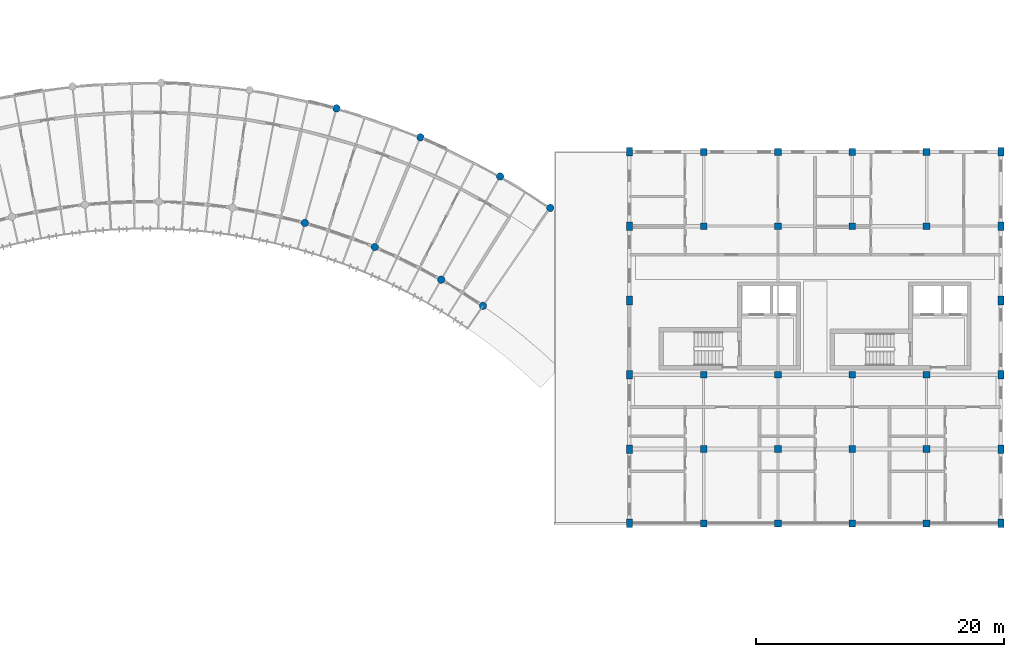
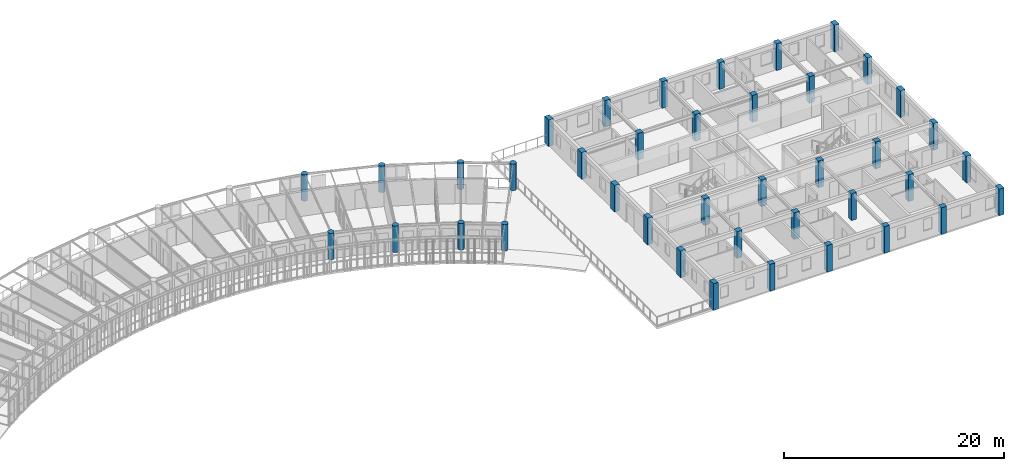
# One storey, part 2 of 101: 40 columns.
"""IFC4 building model written with IfcOpenShell, lengths in metres."""

from ifc_helpers import new_model, si_unit, direction, frame, origin, origin_2d, place, context, subcontext, project, spatial, rectangle, circle, extrude, material, material_profile, profile_set, type_object, element, save


model = new_model("IFC4")

# Units and contexts
model_context = context("Model", 3, precision=1e-05, world=origin(), true_north=direction((0.0, 1.0)))
body_context = subcontext(model_context, "Body", "Model", "MODEL_VIEW")
ifc_project = project(units=[si_unit("LENGTHUNIT", "METRE"), si_unit("AREAUNIT", "SQUARE_METRE"), si_unit("VOLUMEUNIT", "CUBIC_METRE"), si_unit("PLANEANGLEUNIT", "RADIAN"), si_unit("MASSUNIT", "GRAM", prefix="KILO"), si_unit("POWERUNIT", "WATT"), si_unit("THERMODYNAMICTEMPERATUREUNIT", "KELVIN")], contexts=[model_context])

# Site, building, storey
site_placement = place(None, origin())
site = spatial("IfcSite", under=ifc_project, at=site_placement, CompositionType="ELEMENT")
building_placement = place(site_placement, origin())
building = spatial("IfcBuilding", under=site, at=building_placement, Name="Ruvembo Vaulted Housing Court", CompositionType="ELEMENT")
storey_placement = place(building_placement, frame((0.0, 0.0, 17.300048828125)))
storey = spatial("IfcBuildingStorey", under=building, at=storey_placement, Name="L05", CompositionType="ELEMENT", Elevation=17.300048828125)

# Columns
ifc_material = material(Name="Concrete C35/45", Category="concrete")
ifc_material_profile_1 = material_profile(ifc_material, rectangle(XDim=0.5, YDim=0.699951171875, at=origin_2d()), Name="RC 500x700")
ifc_profile_set_1 = profile_set([ifc_material_profile_1], Name="Concrete C35/45")
column_type_1 = type_object("IfcColumnType", Name="COL-RC-500x700", PredefinedType="COLUMN", material=ifc_profile_set_1)
for number, where, z_axis, x_axis, name in (
    (1, (156.0, 72.0, 0.0), (0.0, 0.0, 1.0), (1.0, 0.0, 0.0), "L05 Column (156,72)"),
    (2, (156.0, 78.0, 0.0), (0.0, 0.0, 1.0), (1.0, 0.0, 0.0), "L05 Column (156,78)"),
    (3, (156.0, 84.0, 0.0), (0.0, 0.0, 1.0), (1.0, 0.0, 0.0), "L05 Column (156,84)"),
    (4, (156.0, 90.0, 0.0), (0.0, 0.0, 1.0), (1.0, 0.0, 0.0), "L05 Column (156,90)"),
    (5, (156.0, 96.0, 0.0), (0.0, 0.0, 1.0), (1.0, 0.0, 0.0), "L05 Column (156,96)"),
    (6, (156.0, 102.0, 0.0), (0.0, 0.0, 1.0), (1.0, 0.0, 0.0), "L05 Column (156,102)"),
    (7, (186.0, 72.0, 0.0), (0.0, 0.0, 1.0), (1.0, 0.0, 0.0), "L05 Column (186,72)"),
    (8, (186.0, 78.0, 0.0), (0.0, 0.0, 1.0), (1.0, 0.0, 0.0), "L05 Column (186,78)"),
    (9, (186.0, 84.0, 0.0), (0.0, 0.0, 1.0), (1.0, 0.0, 0.0), "L05 Column (186,84)"),
    (10, (186.0, 90.0, 0.0), (0.0, 0.0, 1.0), (1.0, 0.0, 0.0), "L05 Column (186,90)"),
    (11, (186.0, 96.0, 0.0), (0.0, 0.0, 1.0), (1.0, 0.0, 0.0), "L05 Column (186,96)"),
    (12, (186.0, 102.0, 0.0), (0.0, 0.0, 1.0), (1.0, 0.0, 0.0), "L05 Column (186,102)"),
):
    element("IfcColumn", number, at=place(storey_placement, frame(where, z_axis=z_axis, x_axis=x_axis)), inside=storey, type_object=column_type_1, Name=name, PredefinedType="COLUMN", context=body_context, shape_type="SweptSolid", body=[
        extrude(rectangle(XDim=0.5, YDim=0.699951171875, at=origin_2d()), origin(), (0.0, 0.0, 1.0), 2.96484375),
    ])
ifc_material_profile_2 = material_profile(ifc_material, rectangle(XDim=0.550048828125, YDim=0.550048828125, at=origin_2d()), Name="RC 550x550")
ifc_profile_set_2 = profile_set([ifc_material_profile_2], Name="Concrete C35/45")
column_type_2 = type_object("IfcColumnType", Name="COL-RC-550", PredefinedType="COLUMN", material=ifc_profile_set_2)
for number, where, z_axis, x_axis, name in (
    (13, (162.0, 72.0, 0.0), (0.0, 0.0, 1.0), (1.0, 0.0, 0.0), "L05 Column (162,72)"),
    (14, (162.0, 78.0, 0.0), (0.0, 0.0, 1.0), (1.0, 0.0, 0.0), "L05 Column (162,78)"),
    (15, (162.0, 84.0, 0.0), (0.0, 0.0, 1.0), (1.0, 0.0, 0.0), "L05 Column (162,84)"),
    (16, (162.0, 96.0, 0.0), (0.0, 0.0, 1.0), (1.0, 0.0, 0.0), "L05 Column (162,96)"),
    (17, (162.0, 102.0, 0.0), (0.0, 0.0, 1.0), (1.0, 0.0, 0.0), "L05 Column (162,102)"),
    (18, (168.0, 72.0, 0.0), (0.0, 0.0, 1.0), (1.0, 0.0, 0.0), "L05 Column (168,72)"),
    (19, (168.0, 78.0, 0.0), (0.0, 0.0, 1.0), (1.0, 0.0, 0.0), "L05 Column (168,78)"),
    (20, (168.0, 84.0, 0.0), (0.0, 0.0, 1.0), (1.0, 0.0, 0.0), "L05 Column (168,84)"),
    (21, (168.0, 96.0, 0.0), (0.0, 0.0, 1.0), (1.0, 0.0, 0.0), "L05 Column (168,96)"),
    (22, (168.0, 102.0, 0.0), (0.0, 0.0, 1.0), (1.0, 0.0, 0.0), "L05 Column (168,102)"),
    (23, (174.0, 72.0, 0.0), (0.0, 0.0, 1.0), (1.0, 0.0, 0.0), "L05 Column (174,72)"),
    (24, (174.0, 78.0, 0.0), (0.0, 0.0, 1.0), (1.0, 0.0, 0.0), "L05 Column (174,78)"),
    (25, (174.0, 84.0, 0.0), (0.0, 0.0, 1.0), (1.0, 0.0, 0.0), "L05 Column (174,84)"),
    (26, (174.0, 96.0, 0.0), (0.0, 0.0, 1.0), (1.0, 0.0, 0.0), "L05 Column (174,96)"),
    (27, (174.0, 102.0, 0.0), (0.0, 0.0, 1.0), (1.0, 0.0, 0.0), "L05 Column (174,102)"),
    (28, (180.0, 72.0, 0.0), (0.0, 0.0, 1.0), (1.0, 0.0, 0.0), "L05 Column (180,72)"),
    (29, (180.0, 78.0, 0.0), (0.0, 0.0, 1.0), (1.0, 0.0, 0.0), "L05 Column (180,78)"),
    (30, (180.0, 84.0, 0.0), (0.0, 0.0, 1.0), (1.0, 0.0, 0.0), "L05 Column (180,84)"),
    (31, (180.0, 96.0, 0.0), (0.0, 0.0, 1.0), (1.0, 0.0, 0.0), "L05 Column (180,96)"),
    (32, (180.0, 102.0, 0.0), (0.0, 0.0, 1.0), (1.0, 0.0, 0.0), "L05 Column (180,102)"),
):
    element("IfcColumn", number, at=place(storey_placement, frame(where, z_axis=z_axis, x_axis=x_axis)), inside=storey, type_object=column_type_2, Name=name, PredefinedType="COLUMN", context=body_context, shape_type="SweptSolid", body=[
        extrude(rectangle(XDim=0.550048828125, YDim=0.550048828125, at=origin_2d()), origin(), (0.0, 0.0, 1.0), 2.96484375),
    ])
ifc_material_profile_3 = material_profile(ifc_material, circle(Radius=0.300048828125, at=origin_2d()), Name="RC D600")
ifc_profile_set_3 = profile_set([ifc_material_profile_3], Name="Concrete C35/45")
column_type_3 = type_object("IfcColumnType", Name="PILOTIS-D600", PredefinedType="COLUMN", material=ifc_profile_set_3)
for number, where, z_axis, x_axis, name in (
    (33, (129.794677734375, 96.26318359375, 0.0), (0.0, 0.0, 1.0), (1.0, 0.0, 0.0), "L05 Scooped Pier CP-SC3-F08"),
    (34, (132.353759765625, 105.51611328125, 0.0), (0.0, 0.0, 1.0), (1.0, 0.0, 0.0), "L05 Scooped Pier CP-SC3-B08"),
    (35, (135.44189453125, 94.31591796875, 0.0), (0.0, 0.0, 1.0), (1.0, 0.0, 0.0), "L05 Scooped Pier CP-SC3-F09"),
    (36, (139.13037109375, 103.178955078125, 0.0), (0.0, 0.0, 1.0), (1.0, 0.0, 0.0), "L05 Scooped Pier CP-SC3-B09"),
    (37, (140.8037109375, 91.681884765625, 0.0), (0.0, 0.0, 1.0), (1.0, 0.0, 0.0), "L05 Scooped Pier CP-SC3-F10"),
    (38, (145.564453125, 100.018310546875, 0.0), (0.0, 0.0, 1.0), (1.0, 0.0, 0.0), "L05 Scooped Pier CP-SC3-B10"),
    (39, (144.17822265625, 89.564453125, 0.0), (0.0, 0.0, 1.0), (1.0, 0.0, 0.0), "L05 Scooped Pier CP-SC3-F11"),
    (40, (149.61376953125, 97.477294921875, 0.0), (0.0, 0.0, 1.0), (1.0, 0.0, 0.0), "L05 Scooped Pier CP-SC3-B11"),
):
    element("IfcColumn", number, at=place(storey_placement, frame(where, z_axis=z_axis, x_axis=x_axis)), inside=storey, type_object=column_type_3, Name=name, PredefinedType="COLUMN", context=body_context, shape_type="SweptSolid", body=[
        extrude(circle(Radius=0.300048828125, at=origin_2d()), origin(), (0.0, 0.0, 1.0), 2.93994140625),
    ])

save(model, "model.ifc")
